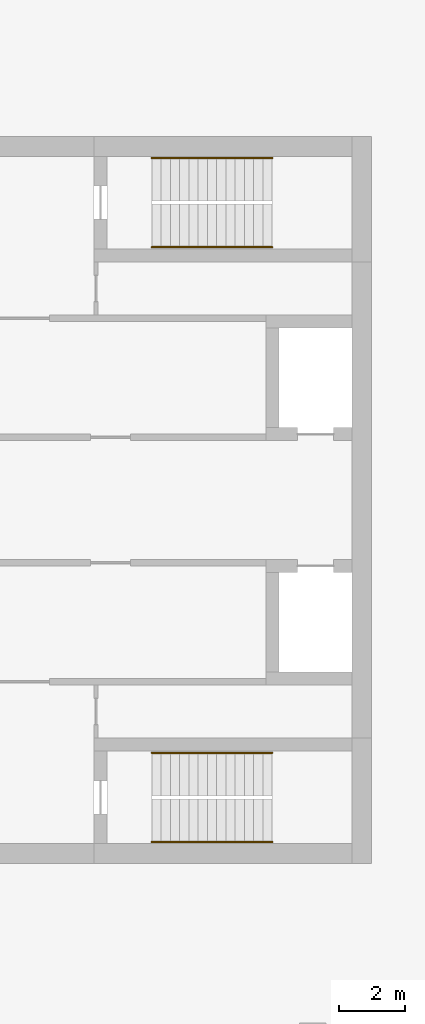
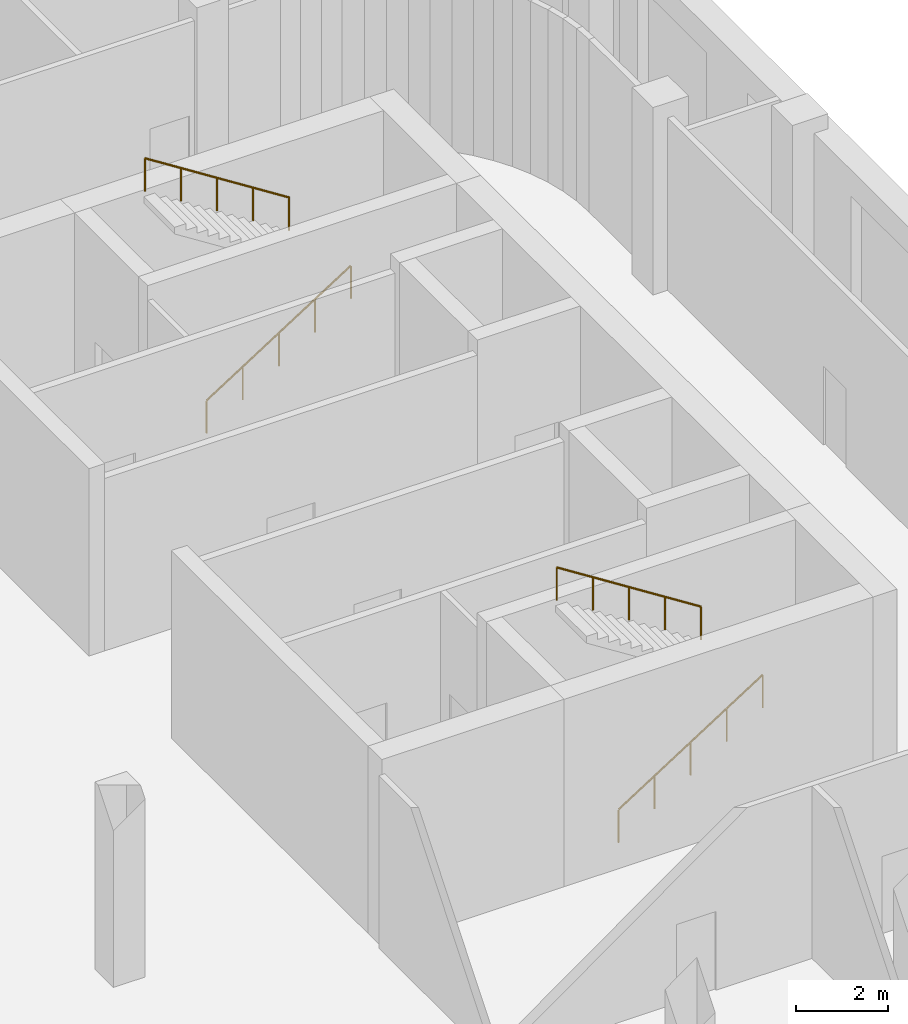
# One storey, part 20 of 20: 4 railings.
"""IFC4 building model written with IfcOpenShell, lengths in metres."""

from ifc_helpers import new_model, si_unit, direction, frame, origin, origin_2d, place, context, subcontext, project, spatial, circle, extrude, material, type_object, element, save


model = new_model("IFC4")

# Units and contexts
model_context = context("Model", 3, precision=1e-05, world=origin(), true_north=direction((0.0, 1.0)))
body_context = subcontext(model_context, "Body", "Model", "MODEL_VIEW")
ifc_project = project(units=[si_unit("LENGTHUNIT", "METRE"), si_unit("AREAUNIT", "SQUARE_METRE"), si_unit("VOLUMEUNIT", "CUBIC_METRE"), si_unit("PLANEANGLEUNIT", "RADIAN"), si_unit("MASSUNIT", "GRAM", prefix="KILO")], contexts=[model_context])

# Site, building, storey
site_placement = place(None, origin())
site = spatial("IfcSite", under=ifc_project, at=site_placement, CompositionType="ELEMENT")
building_placement = place(site_placement, origin())
building = spatial("IfcBuilding", under=site, at=building_placement, Name="Skarvind Civic Tower", CompositionType="ELEMENT")
storey_placement = place(building_placement, frame((0.0, 0.0, 17.5)))
storey = spatial("IfcBuildingStorey", under=building, at=storey_placement, Name="L03", CompositionType="ELEMENT", Elevation=17.5)

# Railings
ifc_material = material(Name="Painted steel handrail", Category="steel")
railing_type = type_object("IfcRailingType", Name="Stair handrail 900", PredefinedType="HANDRAIL", material=ifc_material)
railing_1_placement = place(storey_placement, frame((160.35009765625, 135.64990234375, 0.178466796875)))
element("IfcRailing", 1, at=railing_1_placement, inside=storey, type_object=railing_type, Name="Stair handrail", PredefinedType="HANDRAIL", context=body_context, shape_type="SweptSolid", body=[
    extrude(circle(Radius=0.02392578125, at=origin_2d()), frame((0.0, 0.0, 0.8759765625), z_axis=(0.843111507901, 0.0, 0.53773877045), x_axis=(0.0, 1.0, 0.0)), (0.0, 0.0, 1.0), 4.317138671875),
    extrude(circle(Radius=0.02099609375, at=origin_2d()), origin(), (0.0, 0.0, 1.0), 0.851806640625),
    extrude(circle(Radius=0.02099609375, at=origin_2d()), frame((0.909912109375, 0.0, 0.580322265625)), (0.0, 0.0, 1.0), 0.851806640625),
    extrude(circle(Radius=0.02099609375, at=origin_2d()), frame((1.81982421875, 0.0, 1.16064453125)), (0.0, 0.0, 1.0), 0.851806640625),
    extrude(circle(Radius=0.02099609375, at=origin_2d()), frame((2.72998046875, 0.0, 1.7412109375)), (0.0, 0.0, 1.0), 0.851806640625),
    extrude(circle(Radius=0.02099609375, at=origin_2d()), frame((3.639892578125, 0.0, 2.321533203125)), (0.0, 0.0, 1.0), 0.851806640625),
])
railing_2_placement = place(storey_placement, frame((163.989990234375, 138.35009765625, 2.678466796875)))
element("IfcRailing", 2, at=railing_2_placement, inside=storey, type_object=railing_type, Name="Stair handrail", PredefinedType="HANDRAIL", context=body_context, shape_type="SweptSolid", body=[
    extrude(circle(Radius=0.02392578125, at=origin_2d()), frame((0.0, 0.0, 0.8759765625), z_axis=(-0.843111507901, 0.0, 0.53773877045), x_axis=(0.0, -1.0, 0.0)), (0.0, 0.0, 1.0), 4.317138671875),
    extrude(circle(Radius=0.02099609375, at=origin_2d()), origin(), (0.0, 0.0, 1.0), 0.851806640625),
    extrude(circle(Radius=0.02099609375, at=origin_2d()), frame((-0.909912109375, 0.0, 0.580322265625)), (0.0, 0.0, 1.0), 0.851806640625),
    extrude(circle(Radius=0.02099609375, at=origin_2d()), frame((-1.81982421875, 0.0, 1.16064453125)), (0.0, 0.0, 1.0), 0.851806640625),
    extrude(circle(Radius=0.02099609375, at=origin_2d()), frame((-2.72998046875, 0.0, 1.7412109375)), (0.0, 0.0, 1.0), 0.851806640625),
    extrude(circle(Radius=0.02099609375, at=origin_2d()), frame((-3.639892578125, 0.0, 2.321533203125)), (0.0, 0.0, 1.0), 0.851806640625),
])
railing_3_placement = place(storey_placement, frame((160.35009765625, 117.64990234375, 0.178466796875)))
element("IfcRailing", 3, at=railing_3_placement, inside=storey, type_object=railing_type, Name="Stair handrail", PredefinedType="HANDRAIL", context=body_context, shape_type="SweptSolid", body=[
    extrude(circle(Radius=0.02392578125, at=origin_2d()), frame((0.0, 0.0, 0.8759765625), z_axis=(0.843111507901, 0.0, 0.53773877045), x_axis=(0.0, 1.0, 0.0)), (0.0, 0.0, 1.0), 4.317138671875),
    extrude(circle(Radius=0.02099609375, at=origin_2d()), origin(), (0.0, 0.0, 1.0), 0.851806640625),
    extrude(circle(Radius=0.02099609375, at=origin_2d()), frame((0.909912109375, 0.0, 0.580322265625)), (0.0, 0.0, 1.0), 0.851806640625),
    extrude(circle(Radius=0.02099609375, at=origin_2d()), frame((1.81982421875, 0.0, 1.16064453125)), (0.0, 0.0, 1.0), 0.851806640625),
    extrude(circle(Radius=0.02099609375, at=origin_2d()), frame((2.72998046875, 0.0, 1.7412109375)), (0.0, 0.0, 1.0), 0.851806640625),
    extrude(circle(Radius=0.02099609375, at=origin_2d()), frame((3.639892578125, 0.0, 2.321533203125)), (0.0, 0.0, 1.0), 0.851806640625),
])
railing_4_placement = place(storey_placement, frame((163.989990234375, 120.35009765625, 2.678466796875)))
element("IfcRailing", 4, at=railing_4_placement, inside=storey, type_object=railing_type, Name="Stair handrail", PredefinedType="HANDRAIL", context=body_context, shape_type="SweptSolid", body=[
    extrude(circle(Radius=0.02392578125, at=origin_2d()), frame((0.0, 0.0, 0.8759765625), z_axis=(-0.843111507901, 0.0, 0.53773877045), x_axis=(0.0, -1.0, 0.0)), (0.0, 0.0, 1.0), 4.317138671875),
    extrude(circle(Radius=0.02099609375, at=origin_2d()), origin(), (0.0, 0.0, 1.0), 0.851806640625),
    extrude(circle(Radius=0.02099609375, at=origin_2d()), frame((-0.909912109375, 0.0, 0.580322265625)), (0.0, 0.0, 1.0), 0.851806640625),
    extrude(circle(Radius=0.02099609375, at=origin_2d()), frame((-1.81982421875, 0.0, 1.16064453125)), (0.0, 0.0, 1.0), 0.851806640625),
    extrude(circle(Radius=0.02099609375, at=origin_2d()), frame((-2.72998046875, 0.0, 1.7412109375)), (0.0, 0.0, 1.0), 0.851806640625),
    extrude(circle(Radius=0.02099609375, at=origin_2d()), frame((-3.639892578125, 0.0, 2.321533203125)), (0.0, 0.0, 1.0), 0.851806640625),
])

save(model, "model.ifc")
